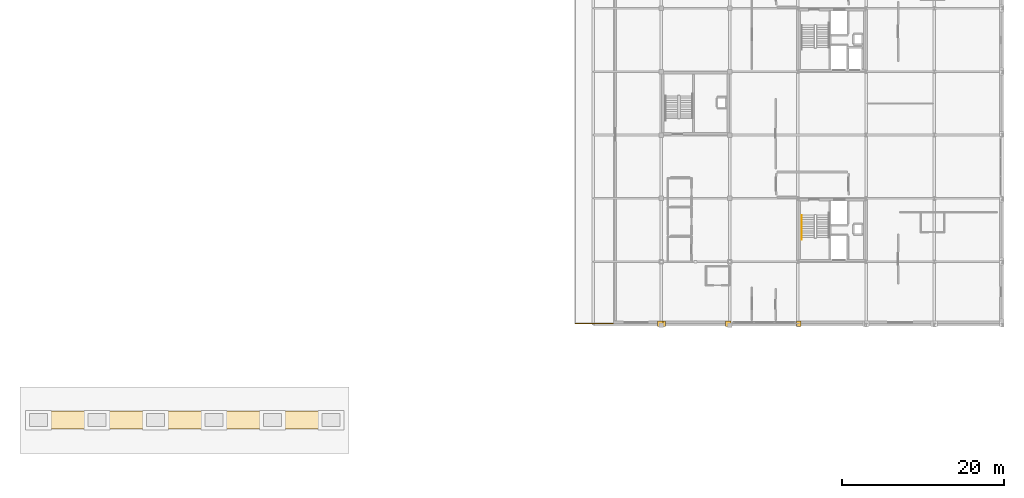
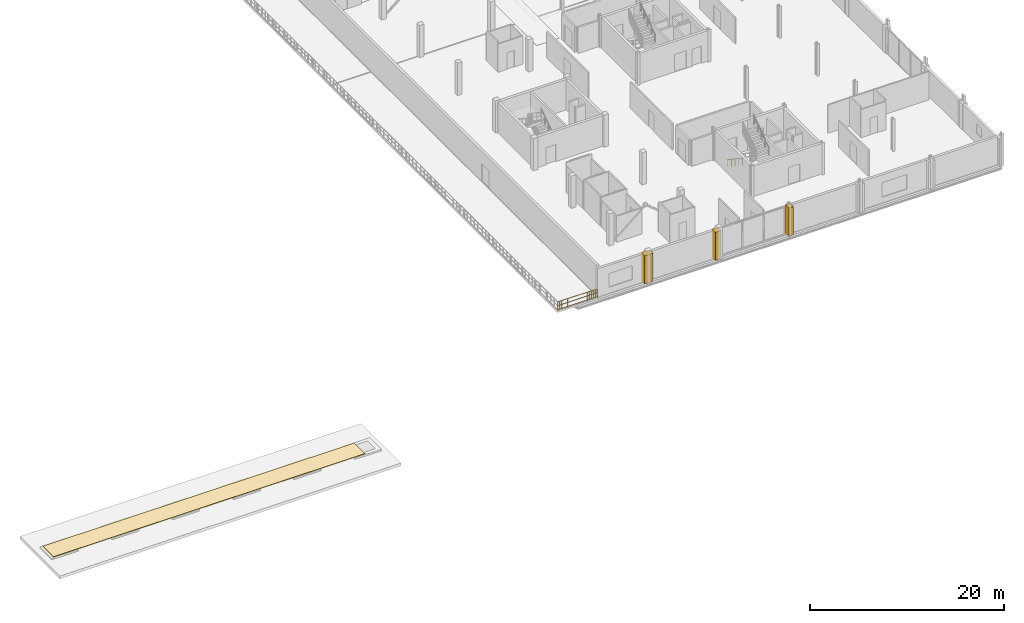
# One storey, part 15 of 20: 5 coverings, 2 railings.
"""IFC4 building model written with IfcOpenShell, lengths in metres."""

from ifc_helpers import new_model, si_unit, direction, frame, origin, origin_2d, place, context, subcontext, project, spatial, polyline, circle, outline, extrude, material, layer, layer_set, type_object, element, save


model = new_model("IFC4")

# Units and contexts
model_context = context("Model", 3, precision=1e-05, world=origin(), true_north=direction((0.0, 1.0)))
body_context = subcontext(model_context, "Body", "Model", "MODEL_VIEW")
ifc_project = project(units=[si_unit("LENGTHUNIT", "METRE"), si_unit("AREAUNIT", "SQUARE_METRE"), si_unit("VOLUMEUNIT", "CUBIC_METRE"), si_unit("PLANEANGLEUNIT", "RADIAN"), si_unit("MASSUNIT", "GRAM", prefix="KILO")], contexts=[model_context])

# Site, building, storey
site_placement = place(None, origin())
site = spatial("IfcSite", under=ifc_project, at=site_placement, CompositionType="ELEMENT")
building_placement = place(site_placement, origin())
building = spatial("IfcBuilding", under=site, at=building_placement, Name="Nabrawat Pavilion Hospital", CompositionType="ELEMENT")
storey_placement = place(building_placement, frame((0.0, 0.0, 27.0)))
storey = spatial("IfcBuildingStorey", under=building, at=storey_placement, Name="L06", CompositionType="ELEMENT", Elevation=27.0)

# Coverings
ifc_material_1 = material(Name="Precast concrete C40/50", Category="concrete")
ifc_layer_1 = layer(ifc_material_1, 0.360107421875, Name="Precast concrete C40/50")
ifc_layer_set_1 = layer_set([ifc_layer_1], Name="Precast concrete C40/50")
covering_type_1 = type_object("IfcCoveringType", Name="Architectural Precast Column-Jamb Closure Reveal", PredefinedType="CLADDING", material=ifc_layer_set_1)
covering_1_placement = place(storey_placement, origin())
element("IfcCovering", 1, at=covering_1_placement, inside=storey, type_object=covering_type_1, Name="L06 Precast Facade Column-Jamb Weatherseal Closure 0613", PredefinedType="CLADDING", context=body_context, shape_type="SweptSolid", body=[
    extrude(outline(polyline([(151.3798828125, 38.820068359375), (151.3798828125, 39.52001953125), (150.695068359375, 39.52001953125), (150.695068359375, 38.820068359375), (151.3798828125, 38.820068359375)])), origin(), (0.0, 0.0, 1.0), 3.530029296875),
])
covering_2_placement = place(storey_placement, origin())
element("IfcCovering", 2, at=covering_2_placement, inside=storey, type_object=covering_type_1, Name="L06 Precast Facade Column-Jamb Weatherseal Closure 0614", PredefinedType="CLADDING", context=body_context, shape_type="SweptSolid", body=[
    extrude(outline(polyline([(151.705078125, 38.820068359375), (151.705078125, 39.52001953125), (151.02001953125, 39.52001953125), (151.02001953125, 38.820068359375), (151.705078125, 38.820068359375)])), origin(), (0.0, 0.0, 1.0), 3.530029296875),
])
covering_3_placement = place(storey_placement, origin())
element("IfcCovering", 3, at=covering_3_placement, inside=storey, type_object=covering_type_1, Name="L06 Precast Facade Column-Jamb Weatherseal Closure 0615", PredefinedType="CLADDING", context=body_context, shape_type="SweptSolid", body=[
    extrude(outline(polyline([(159.780029296875, 38.820068359375), (159.780029296875, 39.52001953125), (159.094970703125, 39.52001953125), (159.094970703125, 38.820068359375), (159.780029296875, 38.820068359375)])), origin(), (0.0, 0.0, 1.0), 3.530029296875),
])
covering_4_placement = place(storey_placement, origin())
element("IfcCovering", 4, at=covering_4_placement, inside=storey, type_object=covering_type_1, Name="L06 Precast Facade Column-Jamb Weatherseal Closure 0616", PredefinedType="CLADDING", context=body_context, shape_type="SweptSolid", body=[
    extrude(outline(polyline([(168.3798828125, 38.820068359375), (168.3798828125, 39.52001953125), (167.820068359375, 39.52001953125), (167.820068359375, 38.820068359375), (168.3798828125, 38.820068359375)])), origin(), (0.0, 0.0, 1.0), 3.530029296875),
])

# Railings
ifc_material_2 = material(Name="Stainless Steel 316", Category="steel")
ifc_layer_2 = layer(ifc_material_2, 0.070068359375, Name="Stainless Steel 316")
ifc_layer_set_2 = layer_set([ifc_layer_2], Name="Stainless Steel 316")
railing_type_1 = type_object("IfcRailingType", Name="Exterior Clinical Terrace Safety Guardrail 1100", PredefinedType="GUARDRAIL", material=ifc_layer_set_2)
railing_1_placement = place(storey_placement, frame((140.580078125, 39.179931640625, 0.0)))
element("IfcRailing", 5, at=railing_1_placement, inside=storey, type_object=railing_type_1, Name="L06 Terrace Edge Safety Guardrail T_L06_WARD_WEST_S South", PredefinedType="GUARDRAIL", context=body_context, shape_type="SweptSolid", body=[
    extrude(circle(Radius=0.02392578125, at=origin_2d()), frame((0.0, 0.0, 1.076171875), z_axis=(1.0, 0.0, 0.0), x_axis=(0.0, 1.0, 0.0)), (0.0, 0.0, 1.0), 4.679931640625),
    extrude(circle(Radius=0.02392578125, at=origin_2d()), frame((0.0, 0.0, 0.10009765625), z_axis=(1.0, 0.0, 0.0), x_axis=(0.0, 1.0, 0.0)), (0.0, 0.0, 1.0), 4.679931640625),
    extrude(circle(Radius=0.02392578125, at=origin_2d()), frame((0.0, 0.0, 0.60498046875), z_axis=(1.0, 0.0, 0.0), x_axis=(0.0, 1.0, 0.0)), (0.0, 0.0, 1.0), 4.679931640625),
    extrude(circle(Radius=0.008056640625, at=origin_2d()), frame((0.23388671875, 0.0, 0.10009765625)), (0.0, 0.0, 1.0), 0.951904296875),
    extrude(circle(Radius=0.008056640625, at=origin_2d()), frame((0.468017578125, 0.0, 0.10009765625)), (0.0, 0.0, 1.0), 0.951904296875),
    extrude(circle(Radius=0.008056640625, at=origin_2d()), frame((0.701904296875, 0.0, 0.10009765625)), (0.0, 0.0, 1.0), 0.951904296875),
    extrude(circle(Radius=0.008056640625, at=origin_2d()), frame((0.93603515625, 0.0, 0.10009765625)), (0.0, 0.0, 1.0), 0.951904296875),
    extrude(circle(Radius=0.008056640625, at=origin_2d()), frame((1.404052734375, 0.0, 0.10009765625)), (0.0, 0.0, 1.0), 0.951904296875),
    extrude(circle(Radius=0.008056640625, at=origin_2d()), frame((1.637939453125, 0.0, 0.10009765625)), (0.0, 0.0, 1.0), 0.951904296875),
    extrude(circle(Radius=0.008056640625, at=origin_2d()), frame((1.8720703125, 0.0, 0.10009765625)), (0.0, 0.0, 1.0), 0.951904296875),
    extrude(circle(Radius=0.008056640625, at=origin_2d()), frame((2.10595703125, 0.0, 0.10009765625)), (0.0, 0.0, 1.0), 0.951904296875),
    extrude(circle(Radius=0.008056640625, at=origin_2d()), frame((2.573974609375, 0.0, 0.10009765625)), (0.0, 0.0, 1.0), 0.951904296875),
    extrude(circle(Radius=0.008056640625, at=origin_2d()), frame((2.807861328125, 0.0, 0.10009765625)), (0.0, 0.0, 1.0), 0.951904296875),
    extrude(circle(Radius=0.008056640625, at=origin_2d()), frame((3.0419921875, 0.0, 0.10009765625)), (0.0, 0.0, 1.0), 0.951904296875),
    extrude(circle(Radius=0.008056640625, at=origin_2d()), frame((3.27587890625, 0.0, 0.10009765625)), (0.0, 0.0, 1.0), 0.951904296875),
    extrude(circle(Radius=0.008056640625, at=origin_2d()), frame((3.743896484375, 0.0, 0.10009765625)), (0.0, 0.0, 1.0), 0.951904296875),
    extrude(circle(Radius=0.008056640625, at=origin_2d()), frame((3.97802734375, 0.0, 0.10009765625)), (0.0, 0.0, 1.0), 0.951904296875),
    extrude(circle(Radius=0.008056640625, at=origin_2d()), frame((4.2119140625, 0.0, 0.10009765625)), (0.0, 0.0, 1.0), 0.951904296875),
    extrude(circle(Radius=0.008056640625, at=origin_2d()), frame((4.446044921875, 0.0, 0.10009765625)), (0.0, 0.0, 1.0), 0.951904296875),
    extrude(circle(Radius=0.02099609375, at=origin_2d()), origin(), (0.0, 0.0, 1.0), 1.052001953125),
    extrude(circle(Radius=0.02099609375, at=origin_2d()), frame((1.169921875, 0.0, 0.0)), (0.0, 0.0, 1.0), 1.052001953125),
    extrude(circle(Radius=0.02099609375, at=origin_2d()), frame((2.33984375, 0.0, 0.0)), (0.0, 0.0, 1.0), 1.052001953125),
    extrude(circle(Radius=0.02099609375, at=origin_2d()), frame((3.510009765625, 0.0, 0.0)), (0.0, 0.0, 1.0), 1.052001953125),
    extrude(circle(Radius=0.02099609375, at=origin_2d()), frame((4.679931640625, 0.0, 0.0)), (0.0, 0.0, 1.0), 1.052001953125),
])
ifc_layer_3 = layer(ifc_material_2, 0.044921875, Name="Stainless Steel 316")
ifc_layer_set_3 = layer_set([ifc_layer_3], Name="Stainless Steel 316")
railing_type_2 = type_object("IfcRailingType", Name="Stair Pitch Continuous Handrail 920", PredefinedType="HANDRAIL", material=ifc_layer_set_3)
railing_2_placement = place(storey_placement, frame((168.47509765625, 52.530029296875, 0.188232421875)))
element("IfcRailing", 6, at=railing_2_placement, inside=storey, type_object=railing_type_2, Name="L06 ST-05 stair handrail 1", PredefinedType="HANDRAIL", context=body_context, shape_type="SweptSolid", body=[
    extrude(circle(Radius=0.02392578125, at=origin_2d()), frame((0.0, 0.0, 0.89599609375), z_axis=(0.0, -0.831017067507, 0.556246917755), x_axis=(1.0, 0.0, 0.0)), (0.0, 0.0, 1.0), 3.640380859375),
    extrude(circle(Radius=0.02099609375, at=origin_2d()), origin(), (0.0, 0.0, 1.0), 0.871826171875),
    extrude(circle(Radius=0.02099609375, at=origin_2d()), frame((0.0, -0.75634765625, 0.50634765625)), (0.0, 0.0, 1.0), 0.871826171875),
    extrude(circle(Radius=0.02099609375, at=origin_2d()), frame((0.0, -1.5126953125, 1.012451171875)), (0.0, 0.0, 1.0), 0.871826171875),
    extrude(circle(Radius=0.02099609375, at=origin_2d()), frame((0.0, -2.268798828125, 1.5185546875)), (0.0, 0.0, 1.0), 0.871826171875),
    extrude(circle(Radius=0.02099609375, at=origin_2d()), frame((0.0, -3.025146484375, 2.02490234375)), (0.0, 0.0, 1.0), 0.871826171875),
])

# Covering
ifc_material_3 = material(Name="Standing-Seam Anodised Aluminium", Category="aluminium")
ifc_layer_4 = layer(ifc_material_3, 0.050048828125, Name="Standing-Seam Anodised Aluminium")
ifc_layer_set_4 = layer_set([ifc_layer_4], Name="Standing-Seam Anodised Aluminium")
covering_type_2 = type_object("IfcCoveringType", Name="Standing-Seam desert-tan Aluminium Roof Cladding", PredefinedType="ROOFING", material=ifc_layer_set_4)
covering_5_placement = place(storey_placement, frame((0.0, 0.0, 0.489990234375)))
element("IfcCovering", 7, at=covering_5_placement, inside=storey, type_object=covering_type_2, Name="Main Hall Ridge Monitor Flashing Cladding", PredefinedType="ROOFING", context=body_context, shape_type="SweptSolid", body=[
    extrude(outline(polyline([(110.199951171875, 26.199951171875), (110.199951171875, 28.39990234375), (73.199951171875, 28.39990234375), (73.199951171875, 26.199951171875), (110.199951171875, 26.199951171875)])), origin(), (0.0, 0.0, 1.0), 0.050048828125),
])

save(model, "model.ifc")
